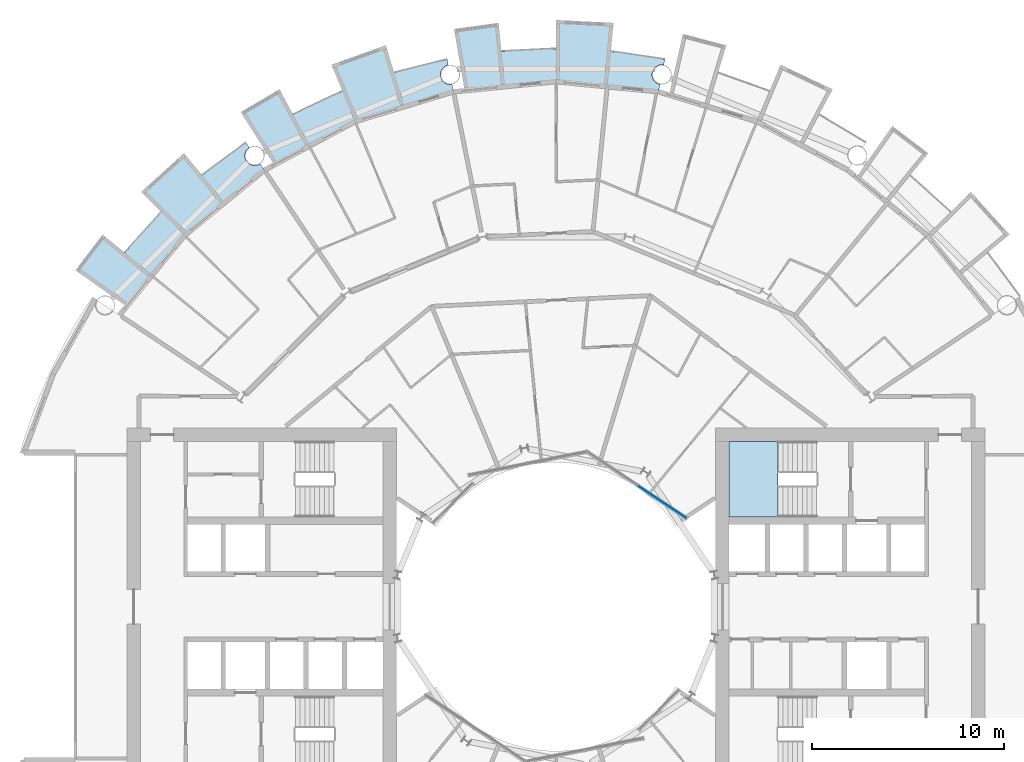
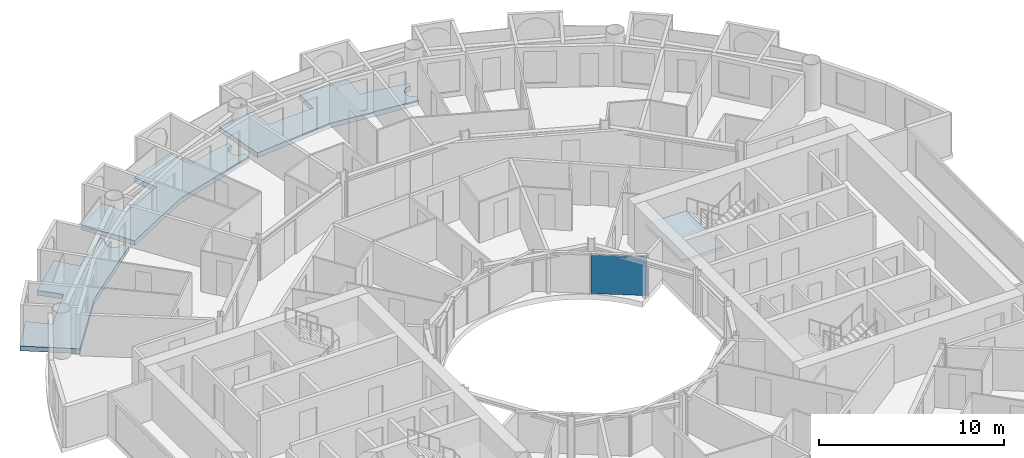
# One storey, part 11 of 26: 4 slabs, 1 plate, 2 elements without a shape of their own.
"""IFC4 building model written with IfcOpenShell, lengths in metres."""

from ifc_helpers import new_model, si_unit, direction, frame, origin, origin_2d, place, context, subcontext, project, spatial, polyline, rectangle, outline, extrude, material, layer, layer_set, type_object, element, aggregate, save


model = new_model("IFC4")

# Units and contexts
model_context = context("Model", 3, precision=1e-05, world=origin(), true_north=direction((0.0, 1.0)))
body_context = subcontext(model_context, "Body", "Model", "MODEL_VIEW")
ifc_project = project(units=[si_unit("LENGTHUNIT", "METRE"), si_unit("AREAUNIT", "SQUARE_METRE"), si_unit("VOLUMEUNIT", "CUBIC_METRE"), si_unit("PLANEANGLEUNIT", "RADIAN"), si_unit("MASSUNIT", "GRAM", prefix="KILO")], contexts=[model_context])

# Site, building, storey
site_placement = place(None, origin())
site = spatial("IfcSite", under=ifc_project, at=site_placement, CompositionType="ELEMENT")
building_placement = place(site_placement, origin())
building = spatial("IfcBuilding", under=site, at=building_placement, Name="Maasbend Ring Residences", CompositionType="ELEMENT")
storey_placement = place(building_placement, frame((0.0, 0.0, 69.699951171875)))
storey = spatial("IfcBuildingStorey", under=building, at=storey_placement, Name="L19", CompositionType="ELEMENT", Elevation=69.699951171875)

# Stair, slab
ifc_material_1 = material(Name="Concrete C40/50", Category="concrete")
stair_type = type_object("IfcStairType", Name="CORE STAIR 18 RISERS", PredefinedType="HALF_TURN_STAIR", material=ifc_material_1)
stair_placement = place(storey_placement, origin())
stair = element("IfcStair", 1, at=stair_placement, inside=storey, type_object=stair_type, Name="L19 Exit stair ST-E1", PredefinedType="HALF_TURN_STAIR")
ifc_material_2 = material(Name="Concrete C40/50", Category="concrete")
ifc_layer_1 = layer(ifc_material_2, 0.199951171875)
ifc_layer_set_1 = layer_set([ifc_layer_1], Name="Concrete C40/50")
slab_type_1 = type_object("IfcSlabType", Name="CORE STAIR LANDING 200", PredefinedType="LANDING", material=ifc_layer_set_1)
slab_1_placement = place(storey_placement, frame((0.0, 0.0, 1.324951171875)))
slab_1 = element("IfcSlab", 2, at=slab_1_placement, type_object=slab_type_1, Name="ST-E1 landing 1", PredefinedType="LANDING", context=body_context, shape_type="SweptSolid", body=[
    extrude(outline(polyline([(11.550048828125, 8.60009765625), (9.0, 8.60009765625), (9.0, 4.64990234375), (11.550048828125, 4.64990234375), (11.550048828125, 8.60009765625)])), origin(), (0.0, 0.0, 1.0), 0.2001953125),
])
aggregate(stair, [slab_1])

# Curtain wall, plate
ifc_material_3 = material(Name="Aluminium and clear glass", Category="aluminium")
ifc_layer_2 = layer(ifc_material_3, 0.179931640625)
ifc_layer_set_2 = layer_set([ifc_layer_2], Name="CW-W")
curtain_wall_type = type_object("IfcCurtainWallType", Name="CW-W", PredefinedType="NOTDEFINED", material=ifc_layer_set_2)
curtain_wall_placement = place(storey_placement, origin())
curtain_wall = element("IfcCurtainWall", 3, at=curtain_wall_placement, inside=storey, type_object=curtain_wall_type, Name="Well curtain wall N1", PredefinedType="NOTDEFINED")
ifc_material_4 = material(Name="Glass clear laminated", Category="glass")
ifc_layer_3 = layer(ifc_material_4, 0.031982421875)
ifc_layer_set_3 = layer_set([ifc_layer_3], Name="CWP-W")
plate_type = type_object("IfcPlateType", Name="CWP-W", PredefinedType="CURTAIN_PANEL", material=ifc_layer_set_3)
plate_placement = place(storey_placement, frame((5.51123046875, 5.44580078125, 0.0), z_axis=(0.0, 0.0, 1.0), x_axis=(-0.831469612303, 0.55557023302, 0.0)))
plate = element("IfcPlate", 4, at=plate_placement, type_object=plate_type, Name="Glass panel well face", PredefinedType="CURTAIN_PANEL", context=body_context, shape_type="SweptSolid", body=[
    extrude(rectangle(XDim=3.053955078125, YDim=0.031982421875, at=origin_2d()), origin(), (0.0, 0.0, 1.0), 2.580078125),
])
aggregate(curtain_wall, [plate])

# Slabs
ifc_material_5 = material(Name="Concrete C40/50", Category="concrete")
ifc_layer_4 = layer(ifc_material_5, 0.199951171875)
ifc_layer_set_4 = layer_set([ifc_layer_4], Name="Concrete C40/50")
slab_type_2 = type_object("IfcSlabType", Name="SL-LOGGIA", PredefinedType="FLOOR", material=ifc_layer_set_4)
slab_2_placement = place(storey_placement, frame((0.0, 0.0, -0.349853515625)))
element("IfcSlab", 5, at=slab_2_placement, inside=storey, type_object=slab_type_2, Name="Loggia floor 2", PredefinedType="FLOOR", context=body_context, shape_type="SweptSolid", body=[
    extrude(outline(polyline([(-13.6708984375, 25.575927734375), (-13.6708984375, 25.575927734375), (-13.6708984375, 25.575927734375), (-13.6708984375, 25.575927734375), (-13.6708984375, 25.575927734375), (-13.6708984375, 25.575927734375), (-13.6708984375, 25.575927734375), (-13.669921875, 25.575927734375), (-13.669921875, 25.575927734375), (-13.669921875, 25.575927734375), (-13.669921875, 25.575927734375), (-13.669921875, 25.575927734375), (-13.669921875, 25.575927734375), (-13.669921875, 25.575927734375), (-13.669921875, 25.575927734375), (-13.669921875, 25.575927734375), (-13.669921875, 25.575927734375), (-12.825927734375, 26.009033203125), (-12.825927734375, 26.009033203125), (-11.968994140625, 26.4150390625), (-11.968994140625, 26.4150390625), (-11.097900390625, 26.7919921875), (-11.097900390625, 26.7919921875), (-11.097900390625, 26.7919921875), (-11.097900390625, 26.7919921875), (-11.097900390625, 26.7919921875), (-11.097900390625, 26.7919921875), (-11.097900390625, 26.7919921875), (-11.097900390625, 26.79296875), (-11.097900390625, 26.79296875), (-11.097900390625, 26.79296875), (-11.097900390625, 26.79296875), (-11.097900390625, 26.79296875), (-11.097900390625, 26.79296875), (-11.097900390625, 26.79296875), (-11.097900390625, 26.79296875), (-11.097900390625, 26.79296875), (-11.097900390625, 26.79296875), (-11.672119140625, 28.177978515625), (-11.672119140625, 28.177978515625), (-11.672119140625, 28.177978515625), (-8.85400390625, 29.18701171875), (-8.85400390625, 29.18701171875), (-8.85400390625, 29.18701171875), (-8.41796875, 27.751953125), (-8.41796875, 27.751953125), (-8.41796875, 27.751953125), (-8.41796875, 27.751953125), (-8.41796875, 27.751953125), (-8.41796875, 27.751953125), (-8.41796875, 27.751953125), (-8.41796875, 27.7509765625), (-8.41796875, 27.7509765625), (-8.41796875, 27.7509765625), (-8.41796875, 27.7509765625), (-8.41796875, 27.7509765625), (-8.41796875, 27.7509765625), (-8.41796875, 27.7509765625), (-8.41796875, 27.7509765625), (-8.41796875, 27.7509765625), (-8.41796875, 27.7509765625), (-7.506103515625, 28.011962890625), (-7.506103515625, 28.011962890625), (-6.5849609375, 28.241943359375), (-6.5849609375, 28.241943359375), (-5.657958984375, 28.443115234375), (-5.657958984375, 28.443115234375), (-5.657958984375, 28.443115234375), (-5.60107421875, 28.156005859375), (-5.613037109375, 28.154052734375), (-5.625, 28.15087890625), (-5.636962890625, 28.14794921875), (-5.64892578125, 28.14404296875), (-5.660888671875, 28.139892578125), (-5.673095703125, 28.135986328125), (-5.68408203125, 28.132080078125), (-5.696044921875, 28.126953125), (-5.70703125, 28.123046875), (-5.718994140625, 28.116943359375), (-5.72998046875, 28.112060546875), (-5.740966796875, 28.10595703125), (-5.751953125, 28.10009765625), (-5.762939453125, 28.093994140625), (-5.77294921875, 28.0869140625), (-5.783935546875, 28.080078125), (-5.7939453125, 28.072998046875), (-5.803955078125, 28.06591796875), (-5.81396484375, 28.05908203125), (-5.823974609375, 28.051025390625), (-5.8330078125, 28.04296875), (-5.843017578125, 28.034912109375), (-5.85205078125, 28.02587890625), (-5.861083984375, 28.01708984375), (-5.868896484375, 28.008056640625), (-5.8779296875, 27.9990234375), (-5.885986328125, 27.989990234375), (-5.89404296875, 27.97998046875), (-5.902099609375, 27.970947265625), (-5.909912109375, 27.9609375), (-5.9169921875, 27.950927734375), (-5.924072265625, 27.93994140625), (-5.930908203125, 27.929931640625), (-5.93701171875, 27.9189453125), (-5.944091796875, 27.907958984375), (-5.949951171875, 27.89794921875), (-5.955078125, 27.886962890625), (-5.9609375, 27.875), (-5.966064453125, 27.864013671875), (-5.970947265625, 27.85302734375), (-5.97509765625, 27.841064453125), (-5.97998046875, 27.8291015625), (-5.98388671875, 27.81689453125), (-5.988037109375, 27.805908203125), (-5.990966796875, 27.7939453125), (-5.993896484375, 27.781982421875), (-5.9970703125, 27.76904296875), (-6.0, 27.757080078125), (-6.001953125, 27.7451171875), (-6.00390625, 27.73291015625), (-6.006103515625, 27.719970703125), (-6.007080078125, 27.7080078125), (-6.008056640625, 27.695068359375), (-6.009033203125, 27.68310546875), (-6.009033203125, 27.6708984375), (-6.010009765625, 27.657958984375), (-6.009033203125, 27.64599609375), (-6.009033203125, 27.633056640625), (-6.008056640625, 27.62109375), (-6.007080078125, 27.60791015625), (-6.006103515625, 27.595947265625), (-6.00390625, 27.583984375), (-6.001953125, 27.571044921875), (-6.0, 27.55908203125), (-5.9970703125, 27.547119140625), (-5.993896484375, 27.534912109375), (-5.990966796875, 27.52294921875), (-5.988037109375, 27.510986328125), (-5.98388671875, 27.4990234375), (-5.97998046875, 27.487060546875), (-5.97509765625, 27.47509765625), (-5.970947265625, 27.464111328125), (-5.966064453125, 27.451904296875), (-5.9609375, 27.44091796875), (-5.955078125, 27.429931640625), (-5.949951171875, 27.4189453125), (-5.944091796875, 27.407958984375), (-5.93701171875, 27.39697265625), (-5.930908203125, 27.385986328125), (-5.924072265625, 27.3759765625), (-5.9169921875, 27.365966796875), (-5.909912109375, 27.35498046875), (-5.902099609375, 27.345947265625), (-5.89404296875, 27.3359375), (-5.885986328125, 27.325927734375), (-5.8779296875, 27.31689453125), (-5.868896484375, 27.30810546875), (-5.861083984375, 27.299072265625), (-5.85205078125, 27.2900390625), (-5.843017578125, 27.281982421875), (-5.8330078125, 27.27294921875), (-5.823974609375, 27.264892578125), (-5.81396484375, 27.258056640625), (-5.803955078125, 27.25), (-5.7939453125, 27.242919921875), (-5.783935546875, 27.236083984375), (-5.77294921875, 27.22900390625), (-5.762939453125, 27.221923828125), (-5.751953125, 27.216064453125), (-5.740966796875, 27.2099609375), (-5.72998046875, 27.2041015625), (-5.718994140625, 27.198974609375), (-5.70703125, 27.194091796875), (-5.696044921875, 27.18896484375), (-5.68408203125, 27.18408203125), (-5.673095703125, 27.179931640625), (-5.660888671875, 27.176025390625), (-5.64892578125, 27.172119140625), (-5.636962890625, 27.1689453125), (-5.625, 27.1650390625), (-5.613037109375, 27.162109375), (-5.60107421875, 27.159912109375), (-5.587890625, 27.157958984375), (-5.575927734375, 27.156005859375), (-5.56396484375, 27.154052734375), (-5.551025390625, 27.153076171875), (-5.5390625, 27.15087890625), (-5.52587890625, 27.15087890625), (-5.513916015625, 27.14990234375), (-5.501953125, 27.14990234375), (-5.489013671875, 27.14990234375), (-5.47705078125, 27.15087890625), (-5.464111328125, 27.15087890625), (-5.451904296875, 27.153076171875), (-5.43896484375, 27.154052734375), (-5.427001953125, 27.156005859375), (-5.4150390625, 27.157958984375), (-5.402099609375, 27.159912109375), (-5.325927734375, 26.77490234375), (-5.325927734375, 26.77490234375), (-5.325927734375, 26.77490234375), (-7.886962890625, 25.9990234375), (-10.447021484375, 25.221923828125), (-10.447021484375, 25.221923828125), (-10.447021484375, 25.221923828125), (-12.806884765625, 23.9609375), (-14.64599609375, 22.97705078125), (-14.64599609375, 22.97705078125), (-14.64599609375, 22.97705078125), (-16.39404296875, 25.718994140625), (-16.39404296875, 25.718994140625), (-16.39404296875, 25.718994140625), (-14.3779296875, 26.89892578125), (-14.3779296875, 26.89892578125), (-14.3779296875, 26.89892578125), (-13.6708984375, 25.575927734375)])), origin(), (0.0, 0.0, 1.0), 0.31982421875),
])
slab_3_placement = place(storey_placement, frame((0.0, 0.0, -0.349853515625)))
element("IfcSlab", 6, at=slab_3_placement, inside=storey, type_object=slab_type_2, Name="Loggia floor 3", PredefinedType="FLOOR", context=body_context, shape_type="SweptSolid", body=[
    extrude(outline(polyline([(-2.843017578125, 28.861083984375), (-2.843017578125, 28.861083984375), (-2.843017578125, 28.861083984375), (-2.843017578125, 28.861083984375), (-2.842041015625, 28.861083984375), (-2.842041015625, 28.861083984375), (-2.842041015625, 28.861083984375), (-2.842041015625, 28.861083984375), (-2.842041015625, 28.861083984375), (-2.842041015625, 28.860107421875), (-2.842041015625, 28.860107421875), (-2.842041015625, 28.860107421875), (-2.842041015625, 28.860107421875), (-2.842041015625, 28.860107421875), (-2.842041015625, 28.860107421875), (-2.842041015625, 28.860107421875), (-2.842041015625, 28.860107421875), (-1.89697265625, 28.93798828125), (-1.89697265625, 28.93798828125), (-0.948974609375, 28.98388671875), (-0.948974609375, 28.98388671875), (0.0, 29.0), (0.0, 29.0), (0.0, 29.0), (0.0, 29.0), (0.0, 29.0), (0.0, 29.0), (0.0, 29.0), (0.0, 29.0), (0.0, 29.0), (0.0, 29.0), (0.0, 29.0), (0.0, 29.0), (0.0, 29.0), (0.0, 29.0), (0.0, 29.0), (0.0, 29.0), (0.0, 29.0), (0.0, 30.5), (0.0, 30.5), (0.0, 30.5), (2.989990234375, 30.35302734375), (2.989990234375, 30.35302734375), (2.989990234375, 30.35302734375), (2.843017578125, 28.861083984375), (2.843017578125, 28.861083984375), (2.843017578125, 28.861083984375), (2.843017578125, 28.861083984375), (2.843017578125, 28.861083984375), (2.843017578125, 28.861083984375), (2.843017578125, 28.861083984375), (2.843017578125, 28.861083984375), (2.843017578125, 28.860107421875), (2.843017578125, 28.860107421875), (2.843017578125, 28.860107421875), (2.843017578125, 28.860107421875), (2.843017578125, 28.860107421875), (2.843017578125, 28.860107421875), (2.843017578125, 28.860107421875), (2.843017578125, 28.860107421875), (2.843017578125, 28.860107421875), (3.784912109375, 28.751953125), (3.784912109375, 28.751953125), (4.72412109375, 28.613037109375), (4.72412109375, 28.613037109375), (5.657958984375, 28.443115234375), (5.657958984375, 28.443115234375), (5.657958984375, 28.443115234375), (5.60107421875, 28.156005859375), (5.60107421875, 28.156005859375), (5.587890625, 28.158935546875), (5.575927734375, 28.160888671875), (5.56396484375, 28.162109375), (5.551025390625, 28.1640625), (5.5390625, 28.1650390625), (5.52587890625, 28.1650390625), (5.513916015625, 28.166015625), (5.501953125, 28.166015625), (5.489013671875, 28.166015625), (5.47705078125, 28.1650390625), (5.464111328125, 28.1650390625), (5.451904296875, 28.1640625), (5.43896484375, 28.162109375), (5.427001953125, 28.160888671875), (5.4150390625, 28.158935546875), (5.402099609375, 28.156005859375), (5.389892578125, 28.154052734375), (5.3779296875, 28.15087890625), (5.365966796875, 28.14794921875), (5.35400390625, 28.14404296875), (5.342041015625, 28.139892578125), (5.330078125, 28.135986328125), (5.319091796875, 28.132080078125), (5.306884765625, 28.126953125), (5.2958984375, 28.123046875), (5.283935546875, 28.116943359375), (5.27294921875, 28.112060546875), (5.261962890625, 28.10595703125), (5.2509765625, 28.10009765625), (5.239990234375, 28.093994140625), (5.22998046875, 28.0869140625), (5.218994140625, 28.080078125), (5.208984375, 28.072998046875), (5.198974609375, 28.06591796875), (5.18896484375, 28.05908203125), (5.178955078125, 28.051025390625), (5.169921875, 28.04296875), (5.159912109375, 28.034912109375), (5.15087890625, 28.02587890625), (5.14208984375, 28.01708984375), (5.134033203125, 28.008056640625), (5.125, 27.9990234375), (5.116943359375, 27.989990234375), (5.10888671875, 27.97998046875), (5.10107421875, 27.970947265625), (5.093017578125, 27.9609375), (5.0859375, 27.950927734375), (5.0791015625, 27.93994140625), (5.072021484375, 27.929931640625), (5.06591796875, 27.9189453125), (5.05908203125, 27.907958984375), (5.052978515625, 27.89794921875), (5.048095703125, 27.886962890625), (5.0419921875, 27.875), (5.037109375, 27.864013671875), (5.031982421875, 27.85302734375), (5.028076171875, 27.841064453125), (5.02294921875, 27.8291015625), (5.01904296875, 27.81689453125), (5.014892578125, 27.805908203125), (5.011962890625, 27.7939453125), (5.009033203125, 27.781982421875), (5.006103515625, 27.76904296875), (5.0029296875, 27.757080078125), (5.0009765625, 27.7451171875), (4.9990234375, 27.73291015625), (4.9970703125, 27.719970703125), (4.99609375, 27.7080078125), (4.9951171875, 27.695068359375), (4.993896484375, 27.68310546875), (4.993896484375, 27.6708984375), (4.993896484375, 27.657958984375), (4.993896484375, 27.64599609375), (4.993896484375, 27.633056640625), (4.9951171875, 27.62109375), (4.99609375, 27.60791015625), (4.9970703125, 27.595947265625), (4.9990234375, 27.583984375), (5.0009765625, 27.571044921875), (5.0029296875, 27.55908203125), (5.006103515625, 27.547119140625), (5.009033203125, 27.534912109375), (5.011962890625, 27.52294921875), (5.014892578125, 27.510986328125), (5.01904296875, 27.4990234375), (5.02294921875, 27.487060546875), (5.028076171875, 27.47509765625), (5.031982421875, 27.464111328125), (5.037109375, 27.451904296875), (5.0419921875, 27.44091796875), (5.048095703125, 27.429931640625), (5.052978515625, 27.4189453125), (5.05908203125, 27.407958984375), (5.06591796875, 27.39697265625), (5.072021484375, 27.385986328125), (5.0791015625, 27.3759765625), (5.0859375, 27.365966796875), (5.093017578125, 27.35498046875), (5.10107421875, 27.345947265625), (5.10888671875, 27.3359375), (5.116943359375, 27.325927734375), (5.125, 27.31689453125), (5.134033203125, 27.30810546875), (5.14208984375, 27.299072265625), (5.15087890625, 27.2900390625), (5.159912109375, 27.281982421875), (5.169921875, 27.27294921875), (5.178955078125, 27.264892578125), (5.18896484375, 27.258056640625), (5.198974609375, 27.25), (5.208984375, 27.242919921875), (5.218994140625, 27.236083984375), (5.22998046875, 27.22900390625), (5.239990234375, 27.221923828125), (5.2509765625, 27.216064453125), (5.261962890625, 27.2099609375), (5.27294921875, 27.2041015625), (5.283935546875, 27.198974609375), (5.2958984375, 27.194091796875), (5.306884765625, 27.18896484375), (5.319091796875, 27.18408203125), (5.330078125, 27.179931640625), (5.342041015625, 27.176025390625), (5.35400390625, 27.172119140625), (5.365966796875, 27.1689453125), (5.3779296875, 27.1650390625), (5.389892578125, 27.162109375), (5.402099609375, 27.159912109375), (5.402099609375, 27.159912109375), (5.325927734375, 26.77490234375), (5.325927734375, 26.77490234375), (5.325927734375, 26.77490234375), (2.6630859375, 27.0380859375), (0.0, 27.300048828125), (0.0, 27.300048828125), (0.0, 27.300048828125), (-2.6630859375, 27.0380859375), (-4.739013671875, 26.8330078125), (-4.739013671875, 26.8330078125), (-4.739013671875, 26.8330078125), (-5.303955078125, 30.034912109375), (-5.303955078125, 30.034912109375), (-5.303955078125, 30.034912109375), (-2.989990234375, 30.35302734375), (-2.989990234375, 30.35302734375), (-2.989990234375, 30.35302734375), (-2.843017578125, 28.861083984375)])), origin(), (0.0, 0.0, 1.0), 0.31982421875),
])
slab_4_placement = place(storey_placement, frame((0.0, 0.0, -0.349853515625)))
element("IfcSlab", 7, at=slab_4_placement, inside=storey, type_object=slab_type_2, Name="Loggia floor 5", PredefinedType="FLOOR", context=body_context, shape_type="SweptSolid", body=[
    extrude(outline(polyline([(-22.41796875, 18.39794921875), (-22.41796875, 18.39794921875), (-22.41796875, 18.39794921875), (-22.41796875, 18.39794921875), (-22.41796875, 18.39794921875), (-22.4169921875, 18.39794921875), (-22.4169921875, 18.39794921875), (-22.4169921875, 18.39794921875), (-22.4169921875, 18.39794921875), (-22.4169921875, 18.39794921875), (-22.4169921875, 18.39794921875), (-22.4169921875, 18.39794921875), (-22.4169921875, 18.39794921875), (-22.4169921875, 18.39794921875), (-22.4169921875, 18.39794921875), (-22.4169921875, 18.39794921875), (-22.4169921875, 18.39794921875), (-21.802978515625, 19.12109375), (-21.802978515625, 19.12109375), (-21.166015625, 19.823974609375), (-21.166015625, 19.823974609375), (-20.506103515625, 20.506103515625), (-20.506103515625, 20.506103515625), (-20.506103515625, 20.506103515625), (-20.506103515625, 20.506103515625), (-20.506103515625, 20.506103515625), (-20.506103515625, 20.506103515625), (-20.506103515625, 20.506103515625), (-20.506103515625, 20.506103515625), (-20.506103515625, 20.506103515625), (-20.506103515625, 20.506103515625), (-20.506103515625, 20.506103515625), (-20.506103515625, 20.506103515625), (-20.506103515625, 20.506103515625), (-20.506103515625, 20.506103515625), (-20.506103515625, 20.506103515625), (-20.506103515625, 20.506103515625), (-20.506103515625, 20.506103515625), (-21.56689453125, 21.56689453125), (-21.56689453125, 21.56689453125), (-21.56689453125, 21.56689453125), (-19.34912109375, 23.576904296875), (-19.34912109375, 23.576904296875), (-19.34912109375, 23.576904296875), (-18.39794921875, 22.41796875), (-18.39794921875, 22.41796875), (-18.39794921875, 22.41796875), (-18.39794921875, 22.41796875), (-18.39794921875, 22.41796875), (-18.39794921875, 22.41796875), (-18.39697265625, 22.41796875), (-18.39697265625, 22.41796875), (-18.39697265625, 22.41796875), (-18.39697265625, 22.41796875), (-18.39697265625, 22.41796875), (-18.39697265625, 22.41796875), (-18.39697265625, 22.41796875), (-18.39697265625, 22.41796875), (-18.39697265625, 22.41796875), (-18.39697265625, 22.41796875), (-18.39697265625, 22.41796875), (-17.654052734375, 23.007080078125), (-17.654052734375, 23.007080078125), (-16.89208984375, 23.572998046875), (-16.89208984375, 23.572998046875), (-16.112060546875, 24.113037109375), (-16.112060546875, 24.113037109375), (-16.112060546875, 24.113037109375), (-15.948974609375, 23.8701171875), (-15.948974609375, 23.8701171875), (-15.9599609375, 23.863037109375), (-15.969970703125, 23.85498046875), (-15.97998046875, 23.847900390625), (-15.989013671875, 23.840087890625), (-15.9990234375, 23.83203125), (-16.008056640625, 23.823974609375), (-16.01708984375, 23.81494140625), (-16.02587890625, 23.806884765625), (-16.034912109375, 23.798095703125), (-16.0439453125, 23.7890625), (-16.052001953125, 23.779052734375), (-16.06005859375, 23.77001953125), (-16.068115234375, 23.760009765625), (-16.074951171875, 23.75), (-16.08203125, 23.739990234375), (-16.089111328125, 23.72998046875), (-16.095947265625, 23.718994140625), (-16.10302734375, 23.708984375), (-16.10888671875, 23.697998046875), (-16.114990234375, 23.68701171875), (-16.12109375, 23.676025390625), (-16.1259765625, 23.6650390625), (-16.132080078125, 23.653076171875), (-16.135986328125, 23.64208984375), (-16.14111328125, 23.6298828125), (-16.14501953125, 23.618896484375), (-16.14892578125, 23.60693359375), (-16.153076171875, 23.594970703125), (-16.156982421875, 23.5830078125), (-16.159912109375, 23.571044921875), (-16.1630859375, 23.55908203125), (-16.1650390625, 23.547119140625), (-16.16796875, 23.533935546875), (-16.169921875, 23.52197265625), (-16.1708984375, 23.510009765625), (-16.173095703125, 23.4970703125), (-16.174072265625, 23.485107421875), (-16.174072265625, 23.471923828125), (-16.175048828125, 23.4599609375), (-16.175048828125, 23.447021484375), (-16.175048828125, 23.43505859375), (-16.174072265625, 23.422119140625), (-16.174072265625, 23.409912109375), (-16.173095703125, 23.39794921875), (-16.1708984375, 23.385009765625), (-16.169921875, 23.373046875), (-16.16796875, 23.361083984375), (-16.1650390625, 23.347900390625), (-16.1630859375, 23.3359375), (-16.159912109375, 23.323974609375), (-16.156982421875, 23.31201171875), (-16.153076171875, 23.300048828125), (-16.14892578125, 23.2880859375), (-16.14501953125, 23.27587890625), (-16.14111328125, 23.264892578125), (-16.135986328125, 23.2529296875), (-16.132080078125, 23.241943359375), (-16.1259765625, 23.22998046875), (-16.12109375, 23.218994140625), (-16.114990234375, 23.2080078125), (-16.10888671875, 23.197021484375), (-16.10302734375, 23.18603515625), (-16.095947265625, 23.176025390625), (-16.089111328125, 23.1650390625), (-16.08203125, 23.155029296875), (-16.074951171875, 23.14501953125), (-16.068115234375, 23.135009765625), (-16.06005859375, 23.125), (-16.052001953125, 23.115966796875), (-16.0439453125, 23.10595703125), (-16.034912109375, 23.096923828125), (-16.02587890625, 23.087890625), (-16.01708984375, 23.0791015625), (-16.008056640625, 23.071044921875), (-15.9990234375, 23.06298828125), (-15.989013671875, 23.054931640625), (-15.97998046875, 23.047119140625), (-15.969970703125, 23.0390625), (-15.9599609375, 23.031982421875), (-15.948974609375, 23.02490234375), (-15.93896484375, 23.01806640625), (-15.927978515625, 23.011962890625), (-15.9169921875, 23.0048828125), (-15.906982421875, 22.9990234375), (-15.89599609375, 22.993896484375), (-15.884033203125, 22.988037109375), (-15.873046875, 22.98291015625), (-15.862060546875, 22.97802734375), (-15.85009765625, 22.972900390625), (-15.837890625, 22.968994140625), (-15.825927734375, 22.965087890625), (-15.81494140625, 22.9609375), (-15.802978515625, 22.9580078125), (-15.791015625, 22.955078125), (-15.778076171875, 22.951904296875), (-15.76611328125, 22.948974609375), (-15.75390625, 22.947021484375), (-15.741943359375, 22.945068359375), (-15.72900390625, 22.943115234375), (-15.717041015625, 22.94189453125), (-15.7041015625, 22.94091796875), (-15.69189453125, 22.93994140625), (-15.679931640625, 22.93994140625), (-15.6669921875, 22.93896484375), (-15.655029296875, 22.93994140625), (-15.64208984375, 22.93994140625), (-15.6298828125, 22.94091796875), (-15.616943359375, 22.94189453125), (-15.60498046875, 22.943115234375), (-15.593017578125, 22.945068359375), (-15.580078125, 22.947021484375), (-15.568115234375, 22.948974609375), (-15.555908203125, 22.951904296875), (-15.5439453125, 22.955078125), (-15.531982421875, 22.9580078125), (-15.52001953125, 22.9609375), (-15.508056640625, 22.965087890625), (-15.49609375, 22.968994140625), (-15.48388671875, 22.972900390625), (-15.472900390625, 22.97802734375), (-15.4609375, 22.98291015625), (-15.449951171875, 22.988037109375), (-15.43896484375, 22.993896484375), (-15.427978515625, 22.9990234375), (-15.4169921875, 23.0048828125), (-15.406005859375, 23.011962890625), (-15.39501953125, 23.01806640625), (-15.385009765625, 23.02490234375), (-15.385009765625, 23.02490234375), (-15.1669921875, 22.698974609375), (-15.1669921875, 22.698974609375), (-15.1669921875, 22.698974609375), (-17.236083984375, 21.001953125), (-19.303955078125, 19.303955078125), (-19.303955078125, 19.303955078125), (-19.303955078125, 19.303955078125), (-21.001953125, 17.236083984375), (-22.324951171875, 15.623046875), (-22.324951171875, 15.623046875), (-22.324951171875, 15.623046875), (-24.989013671875, 17.488037109375), (-24.989013671875, 17.488037109375), (-24.989013671875, 17.488037109375), (-23.576904296875, 19.34912109375), (-23.576904296875, 19.34912109375), (-23.576904296875, 19.34912109375), (-22.41796875, 18.39794921875)])), origin(), (0.0, 0.0, 1.0), 0.31982421875),
])

save(model, "model.ifc")
